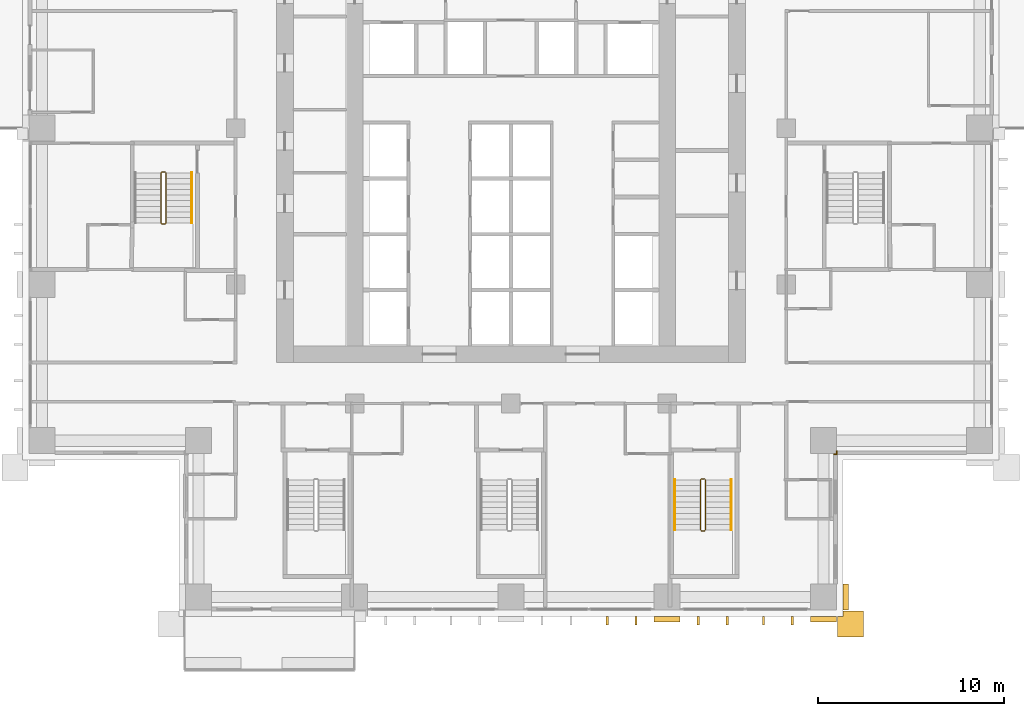
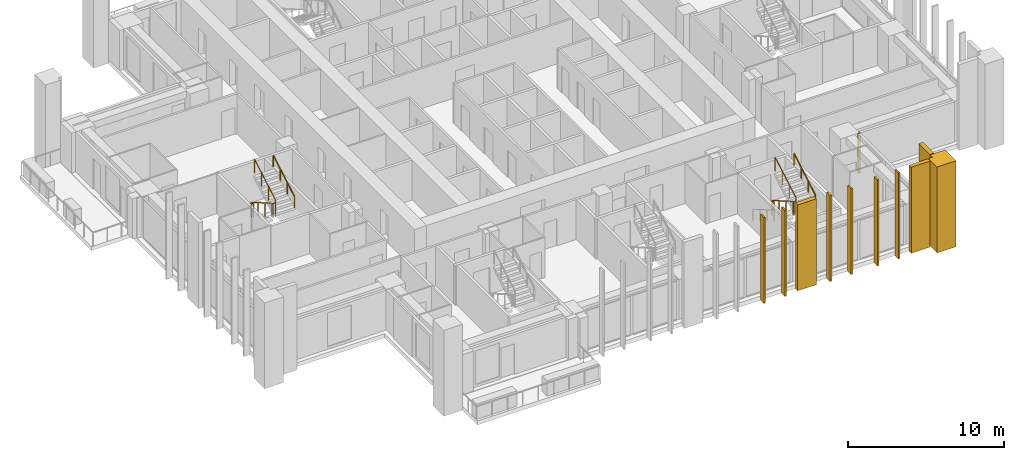
# One storey, part 14 of 17: 11 coverings, 5 railings.
"""IFC4 building model written with IfcOpenShell, lengths in metres."""

from ifc_helpers import new_model, si_unit, direction, frame, origin, origin_2d, place, context, subcontext, project, spatial, polyline, rectangle, outline, extrude, material, layer, layer_set, type_object, element, save


model = new_model("IFC4")

# Units and contexts
model_context = context("Model", 3, precision=1e-05, world=origin(), true_north=direction((0.0, 1.0)))
body_context = subcontext(model_context, "Body", "Model", "MODEL_VIEW")
ifc_project = project(units=[si_unit("LENGTHUNIT", "METRE"), si_unit("AREAUNIT", "SQUARE_METRE"), si_unit("VOLUMEUNIT", "CUBIC_METRE"), si_unit("PLANEANGLEUNIT", "RADIAN"), si_unit("MASSUNIT", "GRAM", prefix="KILO")], contexts=[model_context])

# Site, building, storey
site_placement = place(None, origin())
site = spatial("IfcSite", under=ifc_project, at=site_placement, CompositionType="ELEMENT")
building_placement = place(site_placement, origin())
building = spatial("IfcBuilding", under=site, at=building_placement, Name="Vermilion Ogive Tower", CompositionType="ELEMENT")
storey_placement = place(building_placement, frame((0.0, 0.0, 69.0)))
storey = spatial("IfcBuildingStorey", under=building, at=storey_placement, Name="L16", CompositionType="ELEMENT", Elevation=69.0)

# Coverings
ifc_material_1 = material(Name="Glazed ceramic screen")
ifc_layer = layer(ifc_material_1, 0.14990234375)
ifc_layer_set = layer_set([ifc_layer], Name="Ceramic solar screen fin")
covering_type_1 = type_object("IfcCoveringType", Name="Ceramic solar screen fin", PredefinedType="CLADDING", material=ifc_layer_set)
covering_1_placement = place(storey_placement, frame((0.0, 0.0, -0.320068359375)))
element("IfcCovering", 1, at=covering_1_placement, inside=storey, type_object=covering_type_1, Name="Solar screen blade S011", PredefinedType="CLADDING", context=body_context, shape_type="SweptSolid", body=[
    extrude(outline(polyline([(5.114990234375, -22.5), (5.235107421875, -22.5), (5.235107421875, -22.050048828125), (5.114990234375, -22.050048828125), (5.114990234375, -22.5)])), origin(), (0.0, 0.0, 1.0), 6.719970703125),
])
covering_2_placement = place(storey_placement, frame((0.0, 0.0, -0.320068359375)))
element("IfcCovering", 2, at=covering_2_placement, inside=storey, type_object=covering_type_1, Name="Solar screen blade S012", PredefinedType="CLADDING", context=body_context, shape_type="SweptSolid", body=[
    extrude(outline(polyline([(6.6650390625, -22.5), (6.784912109375, -22.5), (6.784912109375, -22.050048828125), (6.6650390625, -22.050048828125), (6.6650390625, -22.5)])), origin(), (0.0, 0.0, 1.0), 6.719970703125),
])
covering_3_placement = place(storey_placement, frame((0.0, 0.0, -0.320068359375)))
element("IfcCovering", 3, at=covering_3_placement, inside=storey, type_object=covering_type_1, Name="Solar screen blade S021", PredefinedType="CLADDING", context=body_context, shape_type="SweptSolid", body=[
    extrude(outline(polyline([(10.014892578125, -22.5), (10.135009765625, -22.5), (10.135009765625, -22.050048828125), (10.014892578125, -22.050048828125), (10.014892578125, -22.5)])), origin(), (0.0, 0.0, 1.0), 6.719970703125),
])
covering_4_placement = place(storey_placement, frame((0.0, 0.0, -0.320068359375)))
element("IfcCovering", 4, at=covering_4_placement, inside=storey, type_object=covering_type_1, Name="Solar screen blade S022", PredefinedType="CLADDING", context=body_context, shape_type="SweptSolid", body=[
    extrude(outline(polyline([(11.56494140625, -22.5), (11.68505859375, -22.5), (11.68505859375, -22.050048828125), (11.56494140625, -22.050048828125), (11.56494140625, -22.5)])), origin(), (0.0, 0.0, 1.0), 6.719970703125),
])
covering_5_placement = place(storey_placement, frame((0.0, 0.0, -0.320068359375)))
element("IfcCovering", 5, at=covering_5_placement, inside=storey, type_object=covering_type_1, Name="Solar screen blade S031", PredefinedType="CLADDING", context=body_context, shape_type="SweptSolid", body=[
    extrude(outline(polyline([(13.514892578125, -22.5), (13.635009765625, -22.5), (13.635009765625, -22.050048828125), (13.514892578125, -22.050048828125), (13.514892578125, -22.5)])), origin(), (0.0, 0.0, 1.0), 6.719970703125),
])
covering_6_placement = place(storey_placement, frame((0.0, 0.0, -0.320068359375)))
element("IfcCovering", 6, at=covering_6_placement, inside=storey, type_object=covering_type_1, Name="Solar screen blade S032", PredefinedType="CLADDING", context=body_context, shape_type="SweptSolid", body=[
    extrude(outline(polyline([(15.06494140625, -22.5), (15.18505859375, -22.5), (15.18505859375, -22.050048828125), (15.06494140625, -22.050048828125), (15.06494140625, -22.5)])), origin(), (0.0, 0.0, 1.0), 6.719970703125),
])

# Railings
ifc_material_2 = material(Name="Steel S355 painted", Category="steel")
railing_type_1 = type_object("IfcRailingType", Name="Stair guard 1100", PredefinedType="GUARDRAIL", material=ifc_material_2)
railing_1_placement = place(storey_placement, frame((10.39990234375, -14.64990234375, 0.0)))
element("IfcRailing", 7, at=railing_1_placement, inside=storey, type_object=railing_type_1, Name="L16 ST5 stair guard 4", PredefinedType="GUARDRAIL", context=body_context, shape_type="SweptSolid", body=[
    extrude(rectangle(XDim=0.048095703125, YDim=0.048095703125, at=origin_2d()), frame((0.0, 0.0, 1.076171875), z_axis=(-1.0, 0.0, 0.0), x_axis=(0.0, -1.0, 0.0)), (0.0, 0.0, 1.0), 0.14990234375),
    extrude(rectangle(XDim=0.048095703125, YDim=0.048095703125, at=origin_2d()), frame((-0.14990234375, 0.0, 1.076171875), z_axis=(-0.268277960024, -0.268277960024, 0.925231793839), x_axis=(0.707106781187, -0.707106781187, 0.0)), (0.0, 0.0, 1.0), 0.1865234375),
    extrude(rectangle(XDim=0.048095703125, YDim=0.048095703125, at=origin_2d()), frame((-0.199951171875, -0.050048828125, 1.24853515625), z_axis=(0.0, -0.866903762492, 0.498475542607), x_axis=(1.0, 0.0, 0.0)), (0.0, 0.0, 1.0), 3.114501953125),
    extrude(rectangle(XDim=0.048095703125, YDim=0.048095703125, at=origin_2d()), frame((-0.199951171875, -2.75, 2.80126953125), z_axis=(0.707106781187, -0.707106781187, 0.0), x_axis=(0.707106781187, 0.707106781187, 0.0)), (0.0, 0.0, 1.0), 0.07080078125),
    extrude(rectangle(XDim=0.048095703125, YDim=0.048095703125, at=origin_2d()), frame((-0.14990234375, -2.800048828125, 2.80126953125), z_axis=(1.0, 0.0, 0.0), x_axis=(0.0, 1.0, 0.0)), (0.0, 0.0, 1.0), 0.14990234375),
    extrude(rectangle(XDim=0.048095703125, YDim=0.048095703125, at=origin_2d()), frame((0.0, -2.800048828125, 2.80126953125), z_axis=(0.268603158521, 0.268603158521, 0.925043072762), x_axis=(-0.707106781187, 0.707106781187, 0.0)), (0.0, 0.0, 1.0), 0.186279296875),
    extrude(rectangle(XDim=0.048095703125, YDim=0.048095703125, at=origin_2d()), frame((0.050048828125, -2.75, 2.9736328125), z_axis=(0.0, 0.866903762492, 0.498475542607), x_axis=(-1.0, 0.0, 0.0)), (0.0, 0.0, 1.0), 3.114501953125),
    extrude(rectangle(XDim=0.0419921875, YDim=0.0419921875, at=origin_2d()), origin(), (0.0, 0.0, 1.0), 1.052001953125),
    extrude(rectangle(XDim=0.0419921875, YDim=0.0419921875, at=origin_2d()), frame((-0.14990234375, 0.0, 0.0)), (0.0, 0.0, 1.0), 1.052001953125),
    extrude(rectangle(XDim=0.0419921875, YDim=0.0419921875, at=origin_2d()), frame((-0.199951171875, -0.050048828125, 0.172607421875)), (0.0, 0.0, 1.0), 1.052001953125),
    extrude(rectangle(XDim=0.0419921875, YDim=0.0419921875, at=origin_2d()), frame((-0.199951171875, -0.949951171875, 0.690185546875)), (0.0, 0.0, 1.0), 1.052001953125),
    extrude(rectangle(XDim=0.0419921875, YDim=0.0419921875, at=origin_2d()), frame((-0.199951171875, -1.85009765625, 1.20751953125)), (0.0, 0.0, 1.0), 1.052001953125),
    extrude(rectangle(XDim=0.0419921875, YDim=0.0419921875, at=origin_2d()), frame((-0.199951171875, -2.75, 1.72509765625)), (0.0, 0.0, 1.0), 1.052001953125),
    extrude(rectangle(XDim=0.0419921875, YDim=0.0419921875, at=origin_2d()), frame((-0.14990234375, -2.800048828125, 1.72509765625)), (0.0, 0.0, 1.0), 1.052001953125),
    extrude(rectangle(XDim=0.0419921875, YDim=0.0419921875, at=origin_2d()), frame((0.0, -2.800048828125, 1.72509765625)), (0.0, 0.0, 1.0), 1.052001953125),
    extrude(rectangle(XDim=0.0419921875, YDim=0.0419921875, at=origin_2d()), frame((0.050048828125, -2.75, 1.8974609375)), (0.0, 0.0, 1.0), 1.052001953125),
    extrude(rectangle(XDim=0.0419921875, YDim=0.0419921875, at=origin_2d()), frame((0.050048828125, -1.85009765625, 2.4150390625)), (0.0, 0.0, 1.0), 1.052001953125),
    extrude(rectangle(XDim=0.0419921875, YDim=0.0419921875, at=origin_2d()), frame((0.050048828125, -0.949951171875, 2.932373046875)), (0.0, 0.0, 1.0), 1.052001953125),
    extrude(rectangle(XDim=0.0419921875, YDim=0.0419921875, at=origin_2d()), frame((0.050048828125, -0.050048828125, 3.449951171875)), (0.0, 0.0, 1.0), 1.052001953125),
])
railing_2_placement = place(storey_placement, frame((-18.60009765625, 1.85009765625, 0.0)))
element("IfcRailing", 8, at=railing_2_placement, inside=storey, type_object=railing_type_1, Name="L16 ST9 stair guard 4", PredefinedType="GUARDRAIL", context=body_context, shape_type="SweptSolid", body=[
    extrude(rectangle(XDim=0.048095703125, YDim=0.048095703125, at=origin_2d()), frame((0.0, 0.0, 1.076171875), z_axis=(-1.0, 0.0, 0.0), x_axis=(0.0, -1.0, 0.0)), (0.0, 0.0, 1.0), 0.14990234375),
    extrude(rectangle(XDim=0.048095703125, YDim=0.048095703125, at=origin_2d()), frame((-0.14990234375, 0.0, 1.076171875), z_axis=(-0.268277960024, -0.268277960024, 0.925231793839), x_axis=(0.707106781187, -0.707106781187, 0.0)), (0.0, 0.0, 1.0), 0.1865234375),
    extrude(rectangle(XDim=0.048095703125, YDim=0.048095703125, at=origin_2d()), frame((-0.199951171875, -0.050048828125, 1.24853515625), z_axis=(0.0, -0.866903762492, 0.498475542607), x_axis=(1.0, 0.0, 0.0)), (0.0, 0.0, 1.0), 3.114501953125),
    extrude(rectangle(XDim=0.048095703125, YDim=0.048095703125, at=origin_2d()), frame((-0.199951171875, -2.75, 2.80126953125), z_axis=(0.707106781187, -0.707106781187, 0.0), x_axis=(0.707106781187, 0.707106781187, 0.0)), (0.0, 0.0, 1.0), 0.07080078125),
    extrude(rectangle(XDim=0.048095703125, YDim=0.048095703125, at=origin_2d()), frame((-0.14990234375, -2.800048828125, 2.80126953125), z_axis=(1.0, 0.0, 0.0), x_axis=(0.0, 1.0, 0.0)), (0.0, 0.0, 1.0), 0.14990234375),
    extrude(rectangle(XDim=0.048095703125, YDim=0.048095703125, at=origin_2d()), frame((0.0, -2.800048828125, 2.80126953125), z_axis=(0.268603158521, 0.268603158521, 0.925043072762), x_axis=(-0.707106781187, 0.707106781187, 0.0)), (0.0, 0.0, 1.0), 0.186279296875),
    extrude(rectangle(XDim=0.048095703125, YDim=0.048095703125, at=origin_2d()), frame((0.050048828125, -2.75, 2.9736328125), z_axis=(0.0, 0.866903762492, 0.498475542607), x_axis=(-1.0, 0.0, 0.0)), (0.0, 0.0, 1.0), 3.114501953125),
    extrude(rectangle(XDim=0.0419921875, YDim=0.0419921875, at=origin_2d()), origin(), (0.0, 0.0, 1.0), 1.052001953125),
    extrude(rectangle(XDim=0.0419921875, YDim=0.0419921875, at=origin_2d()), frame((-0.14990234375, 0.0, 0.0)), (0.0, 0.0, 1.0), 1.052001953125),
    extrude(rectangle(XDim=0.0419921875, YDim=0.0419921875, at=origin_2d()), frame((-0.199951171875, -0.050048828125, 0.172607421875)), (0.0, 0.0, 1.0), 1.052001953125),
    extrude(rectangle(XDim=0.0419921875, YDim=0.0419921875, at=origin_2d()), frame((-0.199951171875, -0.949951171875, 0.690185546875)), (0.0, 0.0, 1.0), 1.052001953125),
    extrude(rectangle(XDim=0.0419921875, YDim=0.0419921875, at=origin_2d()), frame((-0.199951171875, -1.85009765625, 1.20751953125)), (0.0, 0.0, 1.0), 1.052001953125),
    extrude(rectangle(XDim=0.0419921875, YDim=0.0419921875, at=origin_2d()), frame((-0.199951171875, -2.75, 1.72509765625)), (0.0, 0.0, 1.0), 1.052001953125),
    extrude(rectangle(XDim=0.0419921875, YDim=0.0419921875, at=origin_2d()), frame((-0.14990234375, -2.800048828125, 1.72509765625)), (0.0, 0.0, 1.0), 1.052001953125),
    extrude(rectangle(XDim=0.0419921875, YDim=0.0419921875, at=origin_2d()), frame((0.0, -2.800048828125, 1.72509765625)), (0.0, 0.0, 1.0), 1.052001953125),
    extrude(rectangle(XDim=0.0419921875, YDim=0.0419921875, at=origin_2d()), frame((0.050048828125, -2.75, 1.8974609375)), (0.0, 0.0, 1.0), 1.052001953125),
    extrude(rectangle(XDim=0.0419921875, YDim=0.0419921875, at=origin_2d()), frame((0.050048828125, -1.85009765625, 2.4150390625)), (0.0, 0.0, 1.0), 1.052001953125),
    extrude(rectangle(XDim=0.0419921875, YDim=0.0419921875, at=origin_2d()), frame((0.050048828125, -0.949951171875, 2.932373046875)), (0.0, 0.0, 1.0), 1.052001953125),
    extrude(rectangle(XDim=0.0419921875, YDim=0.0419921875, at=origin_2d()), frame((0.050048828125, -0.050048828125, 3.449951171875)), (0.0, 0.0, 1.0), 1.052001953125),
])
ifc_material_3 = material(Name="Stainless steel", Category="steel")
railing_type_2 = type_object("IfcRailingType", Name="Stair handrail 900", PredefinedType="HANDRAIL", material=ifc_material_3)
railing_3_placement = place(storey_placement, frame((8.800048828125, -14.699951171875, 0.172607421875)))
element("IfcRailing", 9, at=railing_3_placement, inside=storey, type_object=railing_type_2, Name="L16 ST5 stair handrail 1", PredefinedType="HANDRAIL", context=body_context, shape_type="SweptSolid", body=[
    extrude(rectangle(XDim=0.048095703125, YDim=0.048095703125, at=origin_2d()), frame((0.0, 0.0, 0.8759765625), z_axis=(0.0, -0.866903762492, 0.498475542607), x_axis=(1.0, 0.0, 0.0)), (0.0, 0.0, 1.0), 3.114501953125),
    extrude(rectangle(XDim=0.0419921875, YDim=0.0419921875, at=origin_2d()), origin(), (0.0, 0.0, 1.0), 0.851806640625),
    extrude(rectangle(XDim=0.0419921875, YDim=0.0419921875, at=origin_2d()), frame((0.0, -0.89990234375, 0.517578125)), (0.0, 0.0, 1.0), 0.851806640625),
    extrude(rectangle(XDim=0.0419921875, YDim=0.0419921875, at=origin_2d()), frame((0.0, -1.800048828125, 1.034912109375)), (0.0, 0.0, 1.0), 0.851806640625),
    extrude(rectangle(XDim=0.0419921875, YDim=0.0419921875, at=origin_2d()), frame((0.0, -2.699951171875, 1.552490234375)), (0.0, 0.0, 1.0), 0.851806640625),
])
for number, where, name in (
    (10, (11.85009765625, -17.39990234375, 1.8974609375), "L16 ST5 stair handrail 2"),
    (11, (-17.14990234375, -0.89990234375, 1.8974609375), "L16 ST9 stair handrail 2"),
):
    element("IfcRailing", number, at=place(storey_placement, frame(where)), inside=storey, type_object=railing_type_2, Name=name, PredefinedType="HANDRAIL", context=body_context, shape_type="SweptSolid", body=[
        extrude(rectangle(XDim=0.048095703125, YDim=0.048095703125, at=origin_2d()), frame((0.0, 0.0, 0.8759765625), z_axis=(0.0, 0.866903762492, 0.498475542607), x_axis=(-1.0, 0.0, 0.0)), (0.0, 0.0, 1.0), 3.114501953125),
        extrude(rectangle(XDim=0.0419921875, YDim=0.0419921875, at=origin_2d()), origin(), (0.0, 0.0, 1.0), 0.851806640625),
        extrude(rectangle(XDim=0.0419921875, YDim=0.0419921875, at=origin_2d()), frame((0.0, 0.89990234375, 0.517578125)), (0.0, 0.0, 1.0), 0.851806640625),
        extrude(rectangle(XDim=0.0419921875, YDim=0.0419921875, at=origin_2d()), frame((0.0, 1.800048828125, 1.034912109375)), (0.0, 0.0, 1.0), 0.851806640625),
        extrude(rectangle(XDim=0.0419921875, YDim=0.0419921875, at=origin_2d()), frame((0.0, 2.699951171875, 1.552490234375)), (0.0, 0.0, 1.0), 0.851806640625),
    ])

# Coverings
ifc_material_4 = material(Name="Stone cladding", Category="masonry")
covering_type_2 = type_object("IfcCoveringType", Name="Stone corner buttress", PredefinedType="CLADDING", material=ifc_material_4)
covering_7_placement = place(storey_placement, frame((0.0, 0.0, -0.320068359375)))
element("IfcCovering", 12, at=covering_7_placement, inside=storey, type_object=covering_type_2, Name="Stone corner buttress X11", PredefinedType="CLADDING", context=body_context, shape_type="SweptSolid", body=[
    extrude(outline(polyline([(17.550048828125, -22.050048828125), (17.85009765625, -22.050048828125), (17.85009765625, -21.75), (18.949951171875, -21.75), (18.949951171875, -23.14990234375), (17.550048828125, -23.14990234375), (17.550048828125, -22.050048828125)])), origin(), (0.0, 0.0, 1.0), 6.719970703125),
])
ifc_material_5 = material(Name="Stone cladding", Category="masonry")
covering_type_3 = type_object("IfcCoveringType", Name="Stone pier", PredefinedType="CLADDING", material=ifc_material_5)
covering_8_placement = place(storey_placement, origin())
element("IfcCovering", 13, at=covering_8_placement, inside=storey, type_object=covering_type_3, Name="Stone corner pier X1E1", PredefinedType="CLADDING", context=body_context, shape_type="SweptSolid", body=[
    extrude(outline(polyline([(17.35009765625, -13.300048828125), (17.5, -13.300048828125), (17.5, -13.14990234375), (17.550048828125, -13.14990234375), (17.550048828125, -13.35009765625), (17.35009765625, -13.35009765625), (17.35009765625, -13.300048828125)])), origin(), (0.0, 0.0, 1.0), 3.1298828125),
])
covering_9_placement = place(storey_placement, frame((0.0, 0.0, -0.320068359375)))
element("IfcCovering", 14, at=covering_9_placement, inside=storey, type_object=covering_type_3, Name="Stone pier P+0084-210", PredefinedType="CLADDING", context=body_context, shape_type="SweptSolid", body=[
    extrude(outline(polyline([(9.10009765625, -22.35009765625), (7.699951171875, -22.35009765625), (7.699951171875, -22.050048828125), (9.10009765625, -22.050048828125), (9.10009765625, -22.35009765625)])), origin(), (0.0, 0.0, 1.0), 6.719970703125),
])
covering_10_placement = place(storey_placement, frame((0.0, 0.0, -0.320068359375)))
element("IfcCovering", 15, at=covering_10_placement, inside=storey, type_object=covering_type_3, Name="Stone pier P+0168-210S", PredefinedType="CLADDING", context=body_context, shape_type="SweptSolid", body=[
    extrude(outline(polyline([(17.5, -22.35009765625), (16.10009765625, -22.35009765625), (16.10009765625, -22.050048828125), (17.5, -22.050048828125), (17.5, -22.35009765625)])), origin(), (0.0, 0.0, 1.0), 6.719970703125),
])
covering_11_placement = place(storey_placement, frame((0.0, 0.0, -0.320068359375)))
element("IfcCovering", 16, at=covering_11_placement, inside=storey, type_object=covering_type_3, Name="Stone pier P+0168-210X1", PredefinedType="CLADDING", context=body_context, shape_type="SweptSolid", body=[
    extrude(outline(polyline([(18.14990234375, -21.699951171875), (17.85009765625, -21.699951171875), (17.85009765625, -20.300048828125), (18.14990234375, -20.300048828125), (18.14990234375, -21.699951171875)])), origin(), (0.0, 0.0, 1.0), 6.719970703125),
])

save(model, "model.ifc")
